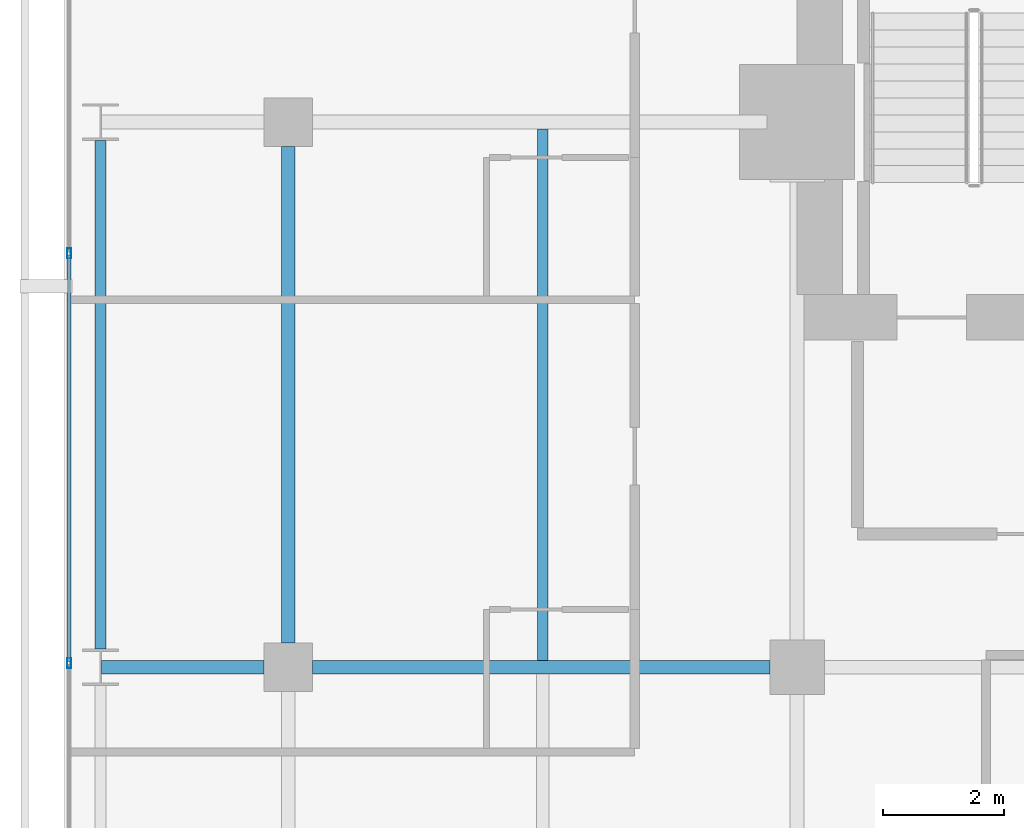
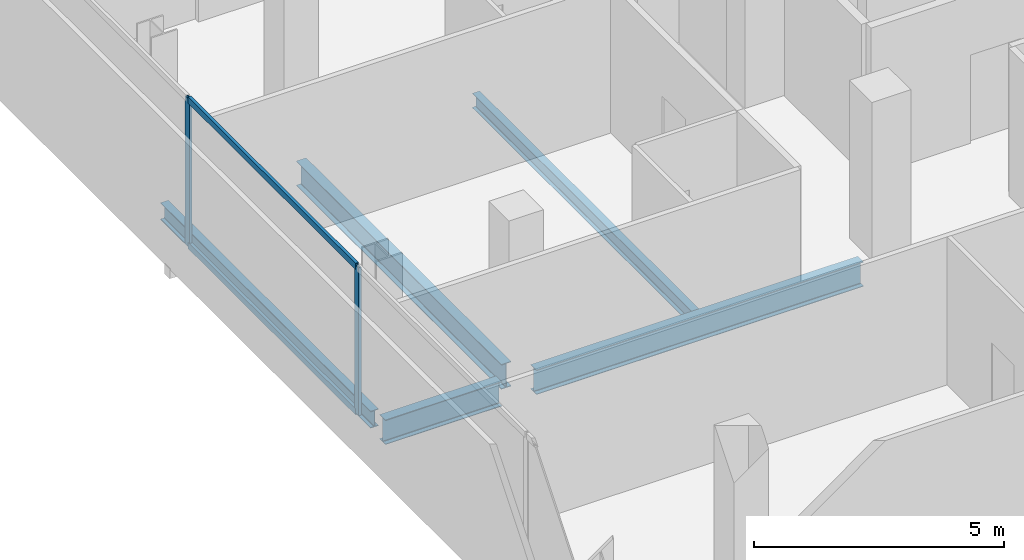
# One storey, part 18 of 33: 5 beams, 4 members, 1 element without a shape of its own.
"""IFC4 building model written with IfcOpenShell, lengths in metres."""

from ifc_helpers import new_model, si_unit, direction, frame, origin, origin_2d, place, context, subcontext, project, spatial, hollow_rectangle, i_section, extrude, material, layer, layer_set, material_profile, profile_set, type_object, element, aggregate, save


model = new_model("IFC4")

# Units and contexts
model_context = context("Model", 3, precision=1e-05, world=origin(), true_north=direction((0.0, 1.0)))
body_context = subcontext(model_context, "Body", "Model", "MODEL_VIEW")
ifc_project = project(units=[si_unit("LENGTHUNIT", "METRE"), si_unit("AREAUNIT", "SQUARE_METRE"), si_unit("VOLUMEUNIT", "CUBIC_METRE"), si_unit("PLANEANGLEUNIT", "RADIAN"), si_unit("MASSUNIT", "GRAM", prefix="KILO")], contexts=[model_context])

# Site, building, storey
site_placement = place(None, origin())
site = spatial("IfcSite", under=ifc_project, at=site_placement, CompositionType="ELEMENT")
building_placement = place(site_placement, origin())
building = spatial("IfcBuilding", under=site, at=building_placement, Name="Maruvema Waterfront Hotel and Observation Tower", CompositionType="ELEMENT")
storey_placement = place(building_placement, frame((0.0, 0.0, 158.199951171875)))
storey = spatial("IfcBuildingStorey", under=building, at=storey_placement, Name="L38", CompositionType="ELEMENT", Elevation=158.199951171875)

# Curtain wall, members
ifc_material_1 = material(Name="Anodised bronze aluminium and solar-control low-E IGU", Category="aluminium")
ifc_layer = layer(ifc_material_1, 0.159912109375, Name="Zone 2 Amber Inner Thermal Curtain Wall System CW-03")
ifc_layer_set = layer_set([ifc_layer], Name="Anodised bronze aluminium and solar-control low-E IGU")
curtain_wall_type = type_object("IfcCurtainWallType", Name="Zone 2 Amber Inner Thermal Curtain Wall System CW-03", PredefinedType="USERDEFINED", material=ifc_layer_set)
curtain_wall_placement = place(storey_placement, origin())
curtain_wall = element("IfcCurtainWall", 1, at=curtain_wall_placement, inside=storey, type_object=curtain_wall_type, Name="L38 Curtain Wall CW-L38-W", ObjectType="UNITISED CURTAIN WALL", PredefinedType="USERDEFINED")
ifc_material_2 = material(Name="Anodised architectural bronze aluminium", Category="aluminium")
ifc_material_profile_1 = material_profile(ifc_material_2, hollow_rectangle(XDim=0.070068359375, YDim=0.14990234375, WallThickness=0.00390625, at=origin_2d()), Name="ALU-T70x150")
ifc_profile_set_1 = profile_set([ifc_material_profile_1], Name="Anodised architectural bronze aluminium")
member_type_1 = type_object("IfcMemberType", Name="Curtain Wall Horizontal Transom ALU-T70x150", PredefinedType="USERDEFINED", material=ifc_profile_set_1)
member_1_placement = place(storey_placement, frame((13.179931640625, 42.80322265625, 0.030029296875), z_axis=(0.0, -1.0, 0.0), x_axis=(1.0, 0.0, 0.0)))
member_1 = element("IfcMember", 2, at=member_1_placement, type_object=member_type_1, Name="CW-03 transom 2.1", ObjectType="TRANSOM", PredefinedType="USERDEFINED", context=body_context, shape_type="SweptSolid", body=[
    extrude(hollow_rectangle(XDim=0.070068359375, YDim=0.14990234375, WallThickness=0.00390625, at=origin_2d()), origin(), (0.0, 0.0, 1.0), 6.70654296875),
])
member_2_placement = place(storey_placement, frame((13.179931640625, 42.80322265625, 3.580078125), z_axis=(0.0, -1.0, 0.0), x_axis=(1.0, 0.0, 0.0)))
member_2 = element("IfcMember", 3, at=member_2_placement, type_object=member_type_1, Name="CW-03 transom 2.2", ObjectType="TRANSOM", PredefinedType="USERDEFINED", context=body_context, shape_type="SweptSolid", body=[
    extrude(hollow_rectangle(XDim=0.070068359375, YDim=0.14990234375, WallThickness=0.00390625, at=origin_2d()), origin(), (0.0, 0.0, 1.0), 6.70654296875),
])
ifc_material_3 = material(Name="Anodised architectural bronze aluminium", Category="aluminium")
ifc_material_profile_2 = material_profile(ifc_material_3, hollow_rectangle(XDim=0.06494140625, YDim=0.1650390625, WallThickness=0.00390625, at=origin_2d()), Name="ALU-M65x165")
ifc_profile_set_2 = profile_set([ifc_material_profile_2], Name="Anodised architectural bronze aluminium")
member_type_2 = type_object("IfcMemberType", Name="Curtain Wall Primary Mullion ALU-M65x165", PredefinedType="MULLION", material=ifc_profile_set_2)
member_3_placement = place(storey_placement, frame((13.179931640625, 42.833251953125, 0.0), z_axis=(0.0, 0.0, 1.0), x_axis=(1.0, 0.0, 0.0)))
member_3 = element("IfcMember", 4, at=member_3_placement, type_object=member_type_2, Name="CW-03 mullion 2", PredefinedType="MULLION", context=body_context, shape_type="SweptSolid", body=[
    extrude(hollow_rectangle(XDim=0.06494140625, YDim=0.1650390625, WallThickness=0.00390625, at=origin_2d()), origin(), (0.0, 0.0, 1.0), 3.610107421875),
])
member_4_placement = place(storey_placement, frame((13.179931640625, 36.066650390625, 0.0), z_axis=(0.0, 0.0, 1.0), x_axis=(1.0, 0.0, 0.0)))
member_4 = element("IfcMember", 5, at=member_4_placement, type_object=member_type_2, Name="CW-03 mullion 3", PredefinedType="MULLION", context=body_context, shape_type="SweptSolid", body=[
    extrude(hollow_rectangle(XDim=0.06494140625, YDim=0.1650390625, WallThickness=0.00390625, at=origin_2d()), origin(), (0.0, 0.0, 1.0), 3.610107421875),
])
aggregate(curtain_wall, [member_3, member_4, member_1, member_2])

# Beams
ifc_material_4 = material(Name="Steel ASTM A572 Grade 50", Category="steel")
ifc_material_profile_3 = material_profile(ifc_material_4, i_section(OverallWidth=0.180908203125, OverallDepth=0.4169921875, WebThickness=0.010986328125, FlangeThickness=0.018310546875, FilletRadius=0.014892578125, at=origin_2d()), Name="W410x85.0")
ifc_profile_set_3 = profile_set([ifc_material_profile_3], Name="Steel ASTM A572 Grade 50")
beam_type_1 = type_object("IfcBeamType", Name="Perimeter Spandrel Beam W410x85.0", PredefinedType="SPANDREL", material=ifc_profile_set_3)
beam_1_placement = place(storey_placement, frame((13.699951171875, 36.300048828125, -0.448486328125), z_axis=(0.0, 1.0, 0.0), x_axis=(-1.0, 0.0, 0.0)))
element("IfcBeam", 6, at=beam_1_placement, inside=storey, type_object=beam_type_1, Name="L38 Floor Girder NS-04", PredefinedType="SPANDREL", context=body_context, shape_type="SweptSolid", body=[
    extrude(i_section(OverallWidth=0.180908203125, OverallDepth=0.4169921875, WebThickness=0.010986328125, FlangeThickness=0.018310546875, FilletRadius=0.014892578125, at=origin_2d()), origin(), (0.0, 0.0, 1.0), 8.39990234375),
])
ifc_material_5 = material(Name="Steel ASTM A572 Grade 50", Category="steel")
ifc_material_profile_4 = material_profile(ifc_material_5, i_section(OverallWidth=0.22802734375, OverallDepth=0.60302734375, WebThickness=0.010498046875, FlangeThickness=0.014892578125, FilletRadius=0.01806640625, at=origin_2d()), Name="W610x101.0")
ifc_profile_set_4 = profile_set([ifc_material_profile_4], Name="Steel ASTM A572 Grade 50")
beam_type_2 = type_object("IfcBeamType", Name="Primary Floor Girder W610x101.0", PredefinedType="BEAM", material=ifc_profile_set_4)
beam_2_placement = place(storey_placement, frame((13.71240234375, 36.0, -0.54150390625), z_axis=(1.0, 0.0, 0.0), x_axis=(0.0, 1.0, 0.0)))
element("IfcBeam", 7, at=beam_2_placement, inside=storey, type_object=beam_type_2, Name="L38 Floor Girder EW-23", PredefinedType="BEAM", context=body_context, shape_type="SweptSolid", body=[
    extrude(i_section(OverallWidth=0.22802734375, OverallDepth=0.60302734375, WebThickness=0.010498046875, FlangeThickness=0.014892578125, FilletRadius=0.01806640625, at=origin_2d()), origin(), (0.0, 0.0, 1.0), 2.6875),
])
beam_3_placement = place(storey_placement, frame((17.199951171875, 36.0, -0.54150390625), z_axis=(1.0, 0.0, 0.0), x_axis=(0.0, 1.0, 0.0)))
element("IfcBeam", 8, at=beam_3_placement, inside=storey, type_object=beam_type_2, Name="L38 Floor Girder EW-24", PredefinedType="BEAM", context=body_context, shape_type="SweptSolid", body=[
    extrude(i_section(OverallWidth=0.22802734375, OverallDepth=0.60302734375, WebThickness=0.010498046875, FlangeThickness=0.014892578125, FilletRadius=0.01806640625, at=origin_2d()), origin(), (0.0, 0.0, 1.0), 7.550048828125),
])
beam_4_placement = place(storey_placement, frame((16.800048828125, 36.39990234375, -0.54150390625), z_axis=(0.0, 1.0, 0.0), x_axis=(-1.0, 0.0, 0.0)))
element("IfcBeam", 9, at=beam_4_placement, inside=storey, type_object=beam_type_2, Name="L38 Floor Girder NS-08", PredefinedType="BEAM", context=body_context, shape_type="SweptSolid", body=[
    extrude(i_section(OverallWidth=0.22802734375, OverallDepth=0.60302734375, WebThickness=0.010498046875, FlangeThickness=0.014892578125, FilletRadius=0.01806640625, at=origin_2d()), origin(), (0.0, 0.0, 1.0), 8.2001953125),
])
ifc_material_6 = material(Name="Steel ASTM A572 Grade 50", Category="steel")
ifc_material_profile_5 = material_profile(ifc_material_6, i_section(OverallWidth=0.1708984375, OverallDepth=0.35498046875, WebThickness=0.007080078125, FlangeThickness=0.01171875, FilletRadius=0.014892578125, at=origin_2d()), Name="W360x51.0")
ifc_profile_set_5 = profile_set([ifc_material_profile_5], Name="Steel ASTM A572 Grade 50")
beam_type_3 = type_object("IfcBeamType", Name="Secondary Floor Joist W360x51.0", PredefinedType="JOIST", material=ifc_profile_set_5)
beam_5_placement = place(storey_placement, frame((21.0, 36.114013671875, -0.41748046875), z_axis=(0.0, 1.0, 0.0), x_axis=(-1.0, 0.0, 0.0)))
element("IfcBeam", 10, at=beam_5_placement, inside=storey, type_object=beam_type_3, Name="L38 Secondary Floor Joist JS-04", PredefinedType="JOIST", context=body_context, shape_type="SweptSolid", body=[
    extrude(i_section(OverallWidth=0.1708984375, OverallDepth=0.35498046875, WebThickness=0.007080078125, FlangeThickness=0.01171875, FilletRadius=0.014892578125, at=origin_2d()), origin(), (0.0, 0.0, 1.0), 8.77197265625),
])

save(model, "model.ifc")
